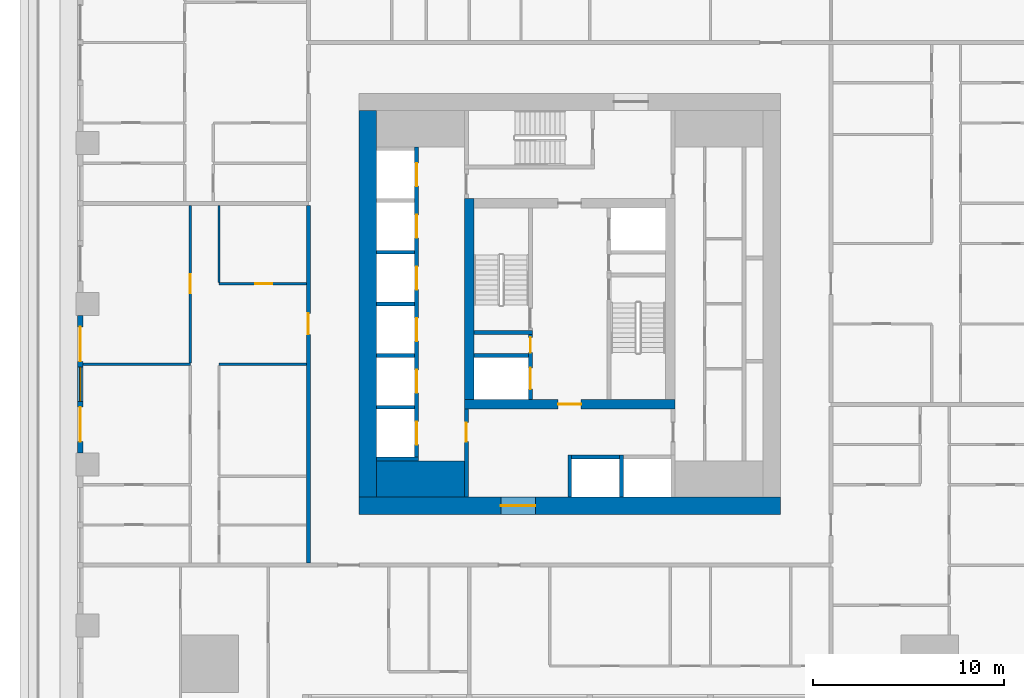
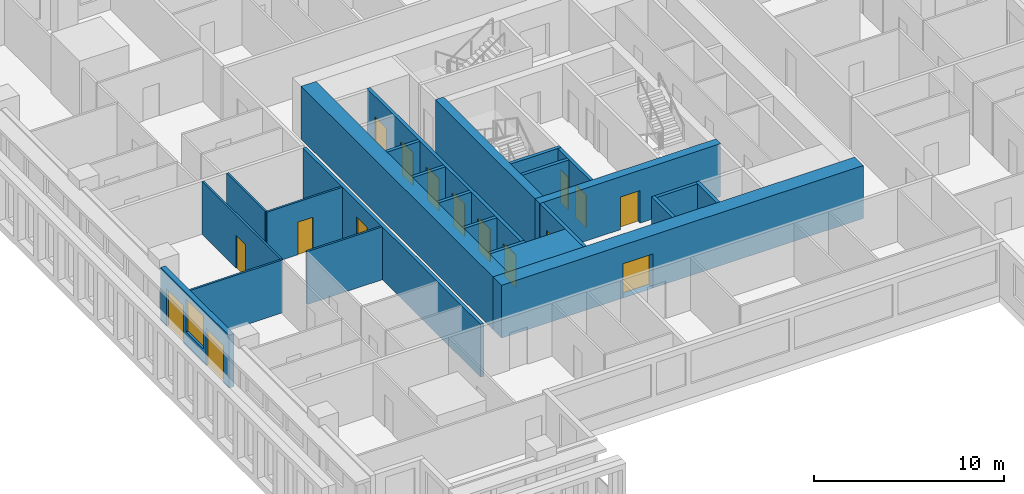
# One storey, part 3 of 14: 25 walls, 16 doors, 1 window, 17 openings.
"""IFC4 building model written with IfcOpenShell, lengths in metres."""

from ifc_helpers import new_model, si_unit, direction, frame, frame_2d, origin, place, context, subcontext, project, spatial, rectangle, extrude, material, layer, layer_set, type_object, element, fill, save


model = new_model("IFC4")

# Units and contexts
model_context = context("Model", 3, precision=1e-05, world=origin(), true_north=direction((0.0, 1.0)))
body_context = subcontext(model_context, "Body", "Model", "MODEL_VIEW")
ifc_project = project(units=[si_unit("LENGTHUNIT", "METRE"), si_unit("AREAUNIT", "SQUARE_METRE"), si_unit("VOLUMEUNIT", "CUBIC_METRE"), si_unit("PLANEANGLEUNIT", "RADIAN"), si_unit("MASSUNIT", "GRAM", prefix="KILO")], contexts=[model_context])

# Site, building, storey
site_placement = place(None, origin())
site = spatial("IfcSite", under=ifc_project, at=site_placement, CompositionType="ELEMENT")
building_placement = place(site_placement, origin())
building = spatial("IfcBuilding", under=site, at=building_placement, Name="Khepri Terraces", CompositionType="ELEMENT")
storey_placement = place(building_placement, frame((0.0, 0.0, 69.89990234375)))
storey = spatial("IfcBuildingStorey", under=building, at=storey_placement, Name="L16", CompositionType="ELEMENT", Elevation=69.89990234375)

# Walls
ifc_material_1 = material(Name="Concrete C80/95", Category="concrete")
ifc_layer_1 = layer(ifc_material_1, 1.89990234375, Name="Concrete C80/95", Category="concrete")
ifc_layer_set_1 = layer_set([ifc_layer_1], Name="Concrete C80/95")
wall_type_1 = type_object("IfcWallType", Name="Core wall 1900 C80/95", PredefinedType="SHEAR", material=ifc_layer_set_1)
wall_1_placement = place(storey_placement, frame((-10.10009765625, -9.14990234375, 0.0), z_axis=(0.0, 0.0, 1.0), x_axis=(1.0, 0.0, 0.0)))
element("IfcWall", 1, at=wall_1_placement, inside=storey, type_object=wall_type_1, Name="Core wall PR01 L16", PredefinedType="SHEAR", context=body_context, shape_type="SweptSolid", body=[
    extrude(rectangle(XDim=4.60009765625, YDim=1.89990234375, at=frame_2d((2.300048828125, 0.0))), origin(), (0.0, 0.0, 1.0), 3.400146484375),
])
ifc_layer_2 = layer(ifc_material_1, 0.199951171875, Name="Concrete C80/95", Category="concrete")
ifc_layer_set_2 = layer_set([ifc_layer_2], Name="Concrete C80/95")
wall_type_2 = type_object("IfcWallType", Name="Core wall 200 C80/95", PredefinedType="SHEAR", material=ifc_layer_set_2)
wall_2_placement = place(storey_placement, frame((-5.0, -1.5, 0.0), z_axis=(0.0, 0.0, 1.0), x_axis=(1.0, 0.0, 0.0)))
element("IfcWall", 2, at=wall_2_placement, inside=storey, type_object=wall_type_2, Name="Core wall ST02 L16", PredefinedType="SHEAR", context=body_context, shape_type="SweptSolid", body=[
    extrude(rectangle(XDim=3.050048828125, YDim=0.199951171875, at=frame_2d((1.52490234375, 0.0))), origin(), (0.0, 0.0, 1.0), 3.400146484375),
])
for number, where, z_axis, x_axis, name in (
    (3, (0.0, -10.10009765625, 0.0), (0.0, 0.0, 1.0), (0.0, 1.0, 0.0), "Core wall SH01 L16"),
    (4, (2.699951171875, -10.10009765625, 0.0), (0.0, 0.0, 1.0), (0.0, 1.0, 0.0), "Core wall SH02 L16"),
    (5, (-10.10009765625, -8.10009765625, 0.0), (0.0, 0.0, 1.0), (1.0, 0.0, 0.0), "Core wall SH04 L16"),
):
    element("IfcWall", number, at=place(storey_placement, frame(where, z_axis=z_axis, x_axis=x_axis)), inside=storey, type_object=wall_type_2, Name=name, PredefinedType="SHEAR", context=body_context, shape_type="SweptSolid", body=[
        extrude(rectangle(XDim=2.2001953125, YDim=0.199951171875, at=frame_2d((1.10009765625, 0.0))), origin(), (0.0, 0.0, 1.0), 3.400146484375),
    ])
wall_3_placement = place(storey_placement, frame((0.10009765625, -8.0, 0.0), z_axis=(0.0, 0.0, 1.0), x_axis=(1.0, 0.0, 0.0)))
element("IfcWall", 6, at=wall_3_placement, inside=storey, type_object=wall_type_2, Name="Core wall SH06 L16", PredefinedType="SHEAR", context=body_context, shape_type="SweptSolid", body=[
    extrude(rectangle(XDim=2.5, YDim=0.199951171875, at=frame_2d((1.25, 0.0))), origin(), (0.0, 0.0, 1.0), 3.400146484375),
])

# Wall, openings, doors
wall_4_placement = place(storey_placement, frame((-8.0, -8.0, 0.0), z_axis=(0.0, 0.0, 1.0), x_axis=(0.0, 1.0, 0.0)))
wall_4 = element("IfcWall", 7, at=wall_4_placement, inside=storey, type_object=wall_type_2, Name="Core wall SH08 L16", PredefinedType="SHEAR", context=body_context, shape_type="SweptSolid", body=[
    extrude(rectangle(XDim=16.199951171875, YDim=0.199951171875, at=frame_2d((8.10009765625, 0.0))), origin(), (0.0, 0.0, 1.0), 3.400146484375),
])
opening_1_placement = place(wall_4_placement, frame((0.64990234375, 0.0, 0.0)))
opening_1 = element("IfcOpeningElement", 8, at=opening_1_placement, cuts=wall_4, Name="Opening L16-C01", PredefinedType="OPENING", context=body_context, shape_type="SweptSolid", body=[
    extrude(rectangle(XDim=1.199951171875, YDim=2.10009765625, at=frame_2d((0.60009765625, 1.050048828125))), frame((0.0, 0.10986328125, 0.0), z_axis=(0.0, -1.0, 0.0), x_axis=(1.0, 0.0, 0.0)), (0.0, 0.0, 1.0), 0.219970703125),
])
opening_2_placement = place(wall_4_placement, frame((3.35009765625, 0.0, 0.0)))
opening_2 = element("IfcOpeningElement", 9, at=opening_2_placement, cuts=wall_4, Name="Opening L16-C02", PredefinedType="OPENING", context=body_context, shape_type="SweptSolid", body=[
    extrude(rectangle(XDim=1.199951171875, YDim=2.10009765625, at=frame_2d((0.60009765625, 1.050048828125))), frame((0.0, 0.10986328125, 0.0), z_axis=(0.0, -1.0, 0.0), x_axis=(1.0, 0.0, 0.0)), (0.0, 0.0, 1.0), 0.219970703125),
])
opening_3_placement = place(wall_4_placement, frame((6.050048828125, 0.0, 0.0)))
opening_3 = element("IfcOpeningElement", 10, at=opening_3_placement, cuts=wall_4, Name="Opening L16-C03", PredefinedType="OPENING", context=body_context, shape_type="SweptSolid", body=[
    extrude(rectangle(XDim=1.199951171875, YDim=2.10009765625, at=frame_2d((0.60009765625, 1.050048828125))), frame((0.0, 0.10986328125, 0.0), z_axis=(0.0, -1.0, 0.0), x_axis=(1.0, 0.0, 0.0)), (0.0, 0.0, 1.0), 0.219970703125),
])
opening_4_placement = place(wall_4_placement, frame((8.75, 0.0, 0.0)))
opening_4 = element("IfcOpeningElement", 11, at=opening_4_placement, cuts=wall_4, Name="Opening L16-C04", PredefinedType="OPENING", context=body_context, shape_type="SweptSolid", body=[
    extrude(rectangle(XDim=1.199951171875, YDim=2.10009765625, at=frame_2d((0.60009765625, 1.050048828125))), frame((0.0, 0.10986328125, 0.0), z_axis=(0.0, -1.0, 0.0), x_axis=(1.0, 0.0, 0.0)), (0.0, 0.0, 1.0), 0.219970703125),
])
opening_5_placement = place(wall_4_placement, frame((11.449951171875, 0.0, 0.0)))
opening_5 = element("IfcOpeningElement", 12, at=opening_5_placement, cuts=wall_4, Name="Opening L16-C05", PredefinedType="OPENING", context=body_context, shape_type="SweptSolid", body=[
    extrude(rectangle(XDim=1.199951171875, YDim=2.10009765625, at=frame_2d((0.60009765625, 1.050048828125))), frame((0.0, 0.10986328125, 0.0), z_axis=(0.0, -1.0, 0.0), x_axis=(1.0, 0.0, 0.0)), (0.0, 0.0, 1.0), 0.219970703125),
])
opening_6_placement = place(wall_4_placement, frame((14.14990234375, 0.0, 0.0)))
opening_6 = element("IfcOpeningElement", 13, at=opening_6_placement, cuts=wall_4, Name="Opening L16-C06", PredefinedType="OPENING", context=body_context, shape_type="SweptSolid", body=[
    extrude(rectangle(XDim=1.199951171875, YDim=2.10009765625, at=frame_2d((0.60009765625, 1.050048828125))), frame((0.0, 0.10986328125, 0.0), z_axis=(0.0, -1.0, 0.0), x_axis=(1.0, 0.0, 0.0)), (0.0, 0.0, 1.0), 0.219970703125),
])
ifc_material_2 = material(Name="Stainless steel 304", Category="steel")
door_type_1 = type_object("IfcDoorType", Name="DR-CORE-LANDING-1200", OperationType="NOTDEFINED", PredefinedType="DOOR", material=ifc_material_2)
door_1_placement = place(opening_1_placement, origin())
door_1 = element("IfcDoor", 14, at=door_1_placement, inside=storey, type_object=door_type_1, Name="Lift landing door L16-C01", OperationType="SLIDING_TO_LEFT", OverallHeight=2.10009765625, OverallWidth=1.199951171875, PredefinedType="DOOR", context=body_context, shape_type="SweptSolid", body=[
    extrude(rectangle(XDim=1.199951171875, YDim=2.10009765625, at=frame_2d((0.60009765625, 1.050048828125))), frame((0.0, 0.02490234375, 0.0), z_axis=(0.0, -1.0, 0.0), x_axis=(1.0, 0.0, 0.0)), (0.0, 0.0, 1.0), 0.050048828125),
])
fill(opening_1, door_1)
door_2_placement = place(opening_2_placement, origin())
door_2 = element("IfcDoor", 15, at=door_2_placement, inside=storey, type_object=door_type_1, Name="Lift landing door L16-C02", OperationType="SLIDING_TO_LEFT", OverallHeight=2.10009765625, OverallWidth=1.199951171875, PredefinedType="DOOR", context=body_context, shape_type="SweptSolid", body=[
    extrude(rectangle(XDim=1.199951171875, YDim=2.10009765625, at=frame_2d((0.60009765625, 1.050048828125))), frame((0.0, 0.02490234375, 0.0), z_axis=(0.0, -1.0, 0.0), x_axis=(1.0, 0.0, 0.0)), (0.0, 0.0, 1.0), 0.050048828125),
])
fill(opening_2, door_2)
door_3_placement = place(opening_3_placement, origin())
door_3 = element("IfcDoor", 16, at=door_3_placement, inside=storey, type_object=door_type_1, Name="Lift landing door L16-C03", OperationType="SLIDING_TO_LEFT", OverallHeight=2.10009765625, OverallWidth=1.199951171875, PredefinedType="DOOR", context=body_context, shape_type="SweptSolid", body=[
    extrude(rectangle(XDim=1.199951171875, YDim=2.10009765625, at=frame_2d((0.60009765625, 1.050048828125))), frame((0.0, 0.02490234375, 0.0), z_axis=(0.0, -1.0, 0.0), x_axis=(1.0, 0.0, 0.0)), (0.0, 0.0, 1.0), 0.050048828125),
])
fill(opening_3, door_3)
door_4_placement = place(opening_4_placement, origin())
door_4 = element("IfcDoor", 17, at=door_4_placement, inside=storey, type_object=door_type_1, Name="Lift landing door L16-C04", OperationType="SLIDING_TO_LEFT", OverallHeight=2.10009765625, OverallWidth=1.199951171875, PredefinedType="DOOR", context=body_context, shape_type="SweptSolid", body=[
    extrude(rectangle(XDim=1.199951171875, YDim=2.10009765625, at=frame_2d((0.60009765625, 1.050048828125))), frame((0.0, 0.02490234375, 0.0), z_axis=(0.0, -1.0, 0.0), x_axis=(1.0, 0.0, 0.0)), (0.0, 0.0, 1.0), 0.050048828125),
])
fill(opening_4, door_4)
door_5_placement = place(opening_5_placement, origin())
door_5 = element("IfcDoor", 18, at=door_5_placement, inside=storey, type_object=door_type_1, Name="Lift landing door L16-C05", OperationType="SLIDING_TO_LEFT", OverallHeight=2.10009765625, OverallWidth=1.199951171875, PredefinedType="DOOR", context=body_context, shape_type="SweptSolid", body=[
    extrude(rectangle(XDim=1.199951171875, YDim=2.10009765625, at=frame_2d((0.60009765625, 1.050048828125))), frame((0.0, 0.02490234375, 0.0), z_axis=(0.0, -1.0, 0.0), x_axis=(1.0, 0.0, 0.0)), (0.0, 0.0, 1.0), 0.050048828125),
])
fill(opening_5, door_5)
door_6_placement = place(opening_6_placement, origin())
door_6 = element("IfcDoor", 19, at=door_6_placement, inside=storey, type_object=door_type_1, Name="Lift landing door L16-C06", OperationType="SLIDING_TO_LEFT", OverallHeight=2.10009765625, OverallWidth=1.199951171875, PredefinedType="DOOR", context=body_context, shape_type="SweptSolid", body=[
    extrude(rectangle(XDim=1.199951171875, YDim=2.10009765625, at=frame_2d((0.60009765625, 1.050048828125))), frame((0.0, 0.02490234375, 0.0), z_axis=(0.0, -1.0, 0.0), x_axis=(1.0, 0.0, 0.0)), (0.0, 0.0, 1.0), 0.050048828125),
])
fill(opening_6, door_6)

# Wall
wall_5_placement = place(storey_placement, frame((-10.10009765625, -5.39990234375, 0.0), z_axis=(0.0, 0.0, 1.0), x_axis=(1.0, 0.0, 0.0)))
element("IfcWall", 20, at=wall_5_placement, inside=storey, type_object=wall_type_2, Name="Core wall SH09 L16", PredefinedType="SHEAR", context=body_context, shape_type="SweptSolid", body=[
    extrude(rectangle(XDim=2.0, YDim=0.199951171875, at=frame_2d((1.0, 0.0))), origin(), (0.0, 0.0, 1.0), 3.400146484375),
])

# Wall, openings, doors
wall_6_placement = place(storey_placement, frame((-2.050048828125, -5.0, 0.0), z_axis=(0.0, 0.0, 1.0), x_axis=(0.0, 1.0, 0.0)))
wall_6 = element("IfcWall", 21, at=wall_6_placement, inside=storey, type_object=wall_type_2, Name="Core wall SH10 L16", PredefinedType="SHEAR", context=body_context, shape_type="SweptSolid", body=[
    extrude(rectangle(XDim=3.39990234375, YDim=0.199951171875, at=frame_2d((1.699951171875, 0.0))), origin(), (0.0, 0.0, 1.0), 3.400146484375),
])
opening_7_placement = place(wall_6_placement, frame((0.550048828125, 0.0, 0.0)))
opening_7 = element("IfcOpeningElement", 22, at=opening_7_placement, cuts=wall_6, Name="Opening L16-C08", PredefinedType="OPENING", context=body_context, shape_type="SweptSolid", body=[
    extrude(rectangle(XDim=1.10009765625, YDim=2.10009765625, at=frame_2d((0.550048828125, 1.050048828125))), frame((0.0, 0.10986328125, 0.0), z_axis=(0.0, -1.0, 0.0), x_axis=(1.0, 0.0, 0.0)), (0.0, 0.0, 1.0), 0.219970703125),
])
opening_8_placement = place(wall_6_placement, frame((2.449951171875, 0.0, 0.0)))
opening_8 = element("IfcOpeningElement", 23, at=opening_8_placement, cuts=wall_6, Name="Opening L16-C12", PredefinedType="OPENING", context=body_context, shape_type="SweptSolid", body=[
    extrude(rectangle(XDim=0.800048828125, YDim=2.10009765625, at=frame_2d((0.39990234375, 1.050048828125))), frame((0.0, 0.10986328125, 0.0), z_axis=(0.0, -1.0, 0.0), x_axis=(1.0, 0.0, 0.0)), (0.0, 0.0, 1.0), 0.219970703125),
])
door_type_2 = type_object("IfcDoorType", Name="DR-CORE-FF-LANDING-1100", OperationType="NOTDEFINED", PredefinedType="DOOR", material=ifc_material_2)
door_7_placement = place(opening_7_placement, origin())
door_7 = element("IfcDoor", 24, at=door_7_placement, inside=storey, type_object=door_type_2, Name="Firefighting lift landing door L16-C08", OperationType="SLIDING_TO_LEFT", OverallHeight=2.10009765625, OverallWidth=1.10009765625, PredefinedType="DOOR", context=body_context, shape_type="SweptSolid", body=[
    extrude(rectangle(XDim=1.10009765625, YDim=2.10009765625, at=frame_2d((0.550048828125, 1.050048828125))), frame((0.0, 0.02490234375, 0.0), z_axis=(0.0, -1.0, 0.0), x_axis=(1.0, 0.0, 0.0)), (0.0, 0.0, 1.0), 0.050048828125),
])
fill(opening_7, door_7)
ifc_material_3 = material(Name="Painted steel", Category="steel")
door_type_3 = type_object("IfcDoorType", Name="DR-CORE-RISER-800", OperationType="NOTDEFINED", PredefinedType="DOOR", material=ifc_material_3)
door_8_placement = place(opening_8_placement, origin())
door_8 = element("IfcDoor", 25, at=door_8_placement, inside=storey, type_object=door_type_3, Name="Riser door L16-C12", OperationType="SINGLE_SWING_RIGHT", OverallHeight=2.10009765625, OverallWidth=0.800048828125, PredefinedType="DOOR", context=body_context, shape_type="SweptSolid", body=[
    extrude(rectangle(XDim=0.800048828125, YDim=2.10009765625, at=frame_2d((0.39990234375, 1.050048828125))), frame((0.0, 0.02490234375, 0.0), z_axis=(0.0, -1.0, 0.0), x_axis=(1.0, 0.0, 0.0)), (0.0, 0.0, 1.0), 0.050048828125),
])
fill(opening_8, door_8)

# Walls
wall_7_placement = place(storey_placement, frame((-10.10009765625, -2.699951171875, 0.0), z_axis=(0.0, 0.0, 1.0), x_axis=(1.0, 0.0, 0.0)))
element("IfcWall", 26, at=wall_7_placement, inside=storey, type_object=wall_type_2, Name="Core wall SH12 L16", PredefinedType="SHEAR", context=body_context, shape_type="SweptSolid", body=[
    extrude(rectangle(XDim=2.0, YDim=0.199951171875, at=frame_2d((1.0, 0.0))), origin(), (0.0, 0.0, 1.0), 3.400146484375),
])
wall_8_placement = place(storey_placement, frame((-5.0, -2.699951171875, 0.0), z_axis=(0.0, 0.0, 1.0), x_axis=(1.0, 0.0, 0.0)))
element("IfcWall", 27, at=wall_8_placement, inside=storey, type_object=wall_type_2, Name="Core wall SH13 L16", PredefinedType="SHEAR", context=body_context, shape_type="SweptSolid", body=[
    extrude(rectangle(XDim=2.85009765625, YDim=0.199951171875, at=frame_2d((1.425048828125, 0.0))), origin(), (0.0, 0.0, 1.0), 3.400146484375),
])
for number, where, z_axis, x_axis, name in (
    (28, (-10.10009765625, 0.0, 0.0), (0.0, 0.0, 1.0), (1.0, 0.0, 0.0), "Core wall SH14 L16"),
    (29, (-10.10009765625, 2.699951171875, 0.0), (0.0, 0.0, 1.0), (1.0, 0.0, 0.0), "Core wall SH17 L16"),
):
    element("IfcWall", number, at=place(storey_placement, frame(where, z_axis=z_axis, x_axis=x_axis)), inside=storey, type_object=wall_type_2, Name=name, PredefinedType="SHEAR", context=body_context, shape_type="SweptSolid", body=[
        extrude(rectangle(XDim=2.0, YDim=0.199951171875, at=frame_2d((1.0, 0.0))), origin(), (0.0, 0.0, 1.0), 3.400146484375),
    ])

# Wall, opening, door
ifc_layer_3 = layer(ifc_material_1, 0.5, Name="Concrete C80/95", Category="concrete")
ifc_layer_set_3 = layer_set([ifc_layer_3], Name="Concrete C80/95")
wall_type_3 = type_object("IfcWallType", Name="Core wall 500 C80/95", PredefinedType="SHEAR", material=ifc_layer_set_3)
wall_9_placement = place(storey_placement, frame((-5.5, -5.25, 0.0), z_axis=(0.0, 0.0, 1.0), x_axis=(1.0, 0.0, 0.0)))
wall_9 = element("IfcWall", 30, at=wall_9_placement, inside=storey, type_object=wall_type_3, Name="Core wall BX01 L16", PredefinedType="SHEAR", context=body_context, shape_type="SweptSolid", body=[
    extrude(rectangle(XDim=11.0, YDim=0.5, at=frame_2d((5.5, 0.0))), origin(), (0.0, 0.0, 1.0), 3.400146484375),
])
opening_9_placement = place(wall_9_placement, frame((4.89990234375, 0.0, 0.0)))
opening_9 = element("IfcOpeningElement", 31, at=opening_9_placement, cuts=wall_9, Name="Opening L16-C14", PredefinedType="OPENING", context=body_context, shape_type="SweptSolid", body=[
    extrude(rectangle(XDim=1.199951171875, YDim=2.10009765625, at=frame_2d((0.60009765625, 1.050048828125))), frame((0.0, 0.260009765625, 0.0), z_axis=(0.0, -1.0, 0.0), x_axis=(1.0, 0.0, 0.0)), (0.0, 0.0, 1.0), 0.52001953125),
])
door_type_4 = type_object("IfcDoorType", Name="DR-CORE-FF-LOBBY-1200", OperationType="NOTDEFINED", PredefinedType="DOOR", material=ifc_material_3)
door_9_placement = place(opening_9_placement, origin())
door_9 = element("IfcDoor", 32, at=door_9_placement, inside=storey, type_object=door_type_4, Name="Firefighting lobby door L16-C14", OperationType="SINGLE_SWING_RIGHT", OverallHeight=2.10009765625, OverallWidth=1.199951171875, PredefinedType="DOOR", context=body_context, shape_type="SweptSolid", body=[
    extrude(rectangle(XDim=1.199951171875, YDim=2.10009765625, at=frame_2d((0.60009765625, 1.050048828125))), frame((0.0, 0.02490234375, 0.0), z_axis=(0.0, -1.0, 0.0), x_axis=(1.0, 0.0, 0.0)), (0.0, 0.0, 1.0), 0.050048828125),
])
fill(opening_9, door_9)

# Wall
wall_10_placement = place(storey_placement, frame((-5.25, -5.0, 0.0), z_axis=(0.0, 0.0, 1.0), x_axis=(0.0, 1.0, 0.0)))
element("IfcWall", 33, at=wall_10_placement, inside=storey, type_object=wall_type_3, Name="Core wall BX02 L16", PredefinedType="SHEAR", context=body_context, shape_type="SweptSolid", body=[
    extrude(rectangle(XDim=10.5, YDim=0.5, at=frame_2d((5.25, 0.0))), origin(), (0.0, 0.0, 1.0), 3.400146484375),
])

# Wall, opening, door
ifc_layer_4 = layer(ifc_material_1, 0.89990234375, Name="Concrete C80/95", Category="concrete")
ifc_layer_set_4 = layer_set([ifc_layer_4], Name="Concrete C80/95")
wall_type_4 = type_object("IfcWallType", Name="Core wall 900 C80/95", PredefinedType="SHEAR", material=ifc_layer_set_4)
wall_11_placement = place(storey_placement, frame((-11.0, -10.550048828125, 0.0), z_axis=(0.0, 0.0, 1.0), x_axis=(1.0, 0.0, 0.0)))
wall_11 = element("IfcWall", 34, at=wall_11_placement, inside=storey, type_object=wall_type_4, Name="Core wall OW-S L16", PredefinedType="SHEAR", context=body_context, shape_type="SweptSolid", body=[
    extrude(rectangle(XDim=22.0, YDim=0.89990234375, at=frame_2d((11.0, 0.0))), origin(), (0.0, 0.0, 1.0), 3.400146484375),
])
opening_10_placement = place(wall_11_placement, frame((7.39990234375, 0.0, 0.0)))
opening_10 = element("IfcOpeningElement", 35, at=opening_10_placement, cuts=wall_11, Name="Opening L16-C21", PredefinedType="OPENING", context=body_context, shape_type="SweptSolid", body=[
    extrude(rectangle(XDim=1.800048828125, YDim=2.199951171875, at=frame_2d((0.89990234375, 1.10009765625))), frame((0.0, 0.4599609375, 0.0), z_axis=(0.0, -1.0, 0.0), x_axis=(1.0, 0.0, 0.0)), (0.0, 0.0, 1.0), 0.919921875),
])
door_type_5 = type_object("IfcDoorType", Name="DR-CORE-ENTRANCE-1800", OperationType="NOTDEFINED", PredefinedType="DOOR", material=ifc_material_3)
door_10_placement = place(opening_10_placement, frame((1.800048828125, 0.0, 0.0), z_axis=(0.0, 0.0, 1.0), x_axis=(-1.0, 0.0, 0.0)))
door_10 = element("IfcDoor", 36, at=door_10_placement, inside=storey, type_object=door_type_5, Name="Core entrance door pair L16-C21", OperationType="DOUBLE_DOOR_SINGLE_SWING", OverallHeight=2.199951171875, OverallWidth=1.800048828125, PredefinedType="DOOR", context=body_context, shape_type="SweptSolid", body=[
    extrude(rectangle(XDim=1.800048828125, YDim=2.199951171875, at=frame_2d((0.89990234375, 1.10009765625))), frame((0.0, 0.02490234375, 0.0), z_axis=(0.0, -1.0, 0.0), x_axis=(1.0, 0.0, 0.0)), (0.0, 0.0, 1.0), 0.050048828125),
])
fill(opening_10, door_10)

# Wall
wall_12_placement = place(storey_placement, frame((-10.550048828125, -10.10009765625, 0.0), z_axis=(0.0, 0.0, 1.0), x_axis=(0.0, 1.0, 0.0)))
element("IfcWall", 37, at=wall_12_placement, inside=storey, type_object=wall_type_4, Name="Core wall OW-W L16", PredefinedType="SHEAR", context=body_context, shape_type="SweptSolid", body=[
    extrude(rectangle(XDim=20.2001953125, YDim=0.89990234375, at=frame_2d((10.10009765625, 0.0))), origin(), (0.0, 0.0, 1.0), 3.400146484375),
])

# Wall, opening, door
ifc_material_4 = material(Name="Fire-rated gypsum board partition")
ifc_layer_5 = layer(ifc_material_4, 0.199951171875, Name="Fire-rated gypsum board partition")
ifc_layer_set_5 = layer_set([ifc_layer_5], Name="Fire-rated gypsum board partition")
wall_type_5 = type_object("IfcWallType", Name="WL-CORE-PART-200", PredefinedType="PARTITIONING", material=ifc_layer_set_5)
wall_13_placement = place(storey_placement, frame((-5.39990234375, -10.10009765625, 0.0), z_axis=(0.0, 0.0, 1.0), x_axis=(0.0, 1.0, 0.0)))
wall_13 = element("IfcWall", 38, at=wall_13_placement, inside=storey, type_object=wall_type_5, Name="Core partition PT01 L16", PredefinedType="PARTITIONING", context=body_context, shape_type="SweptSolid", body=[
    extrude(rectangle(XDim=4.60009765625, YDim=0.199951171875, at=frame_2d((2.300048828125, 0.0))), origin(), (0.0, 0.0, 1.0), 3.400146484375),
])
opening_11_placement = place(wall_13_placement, frame((2.89990234375, 0.0, 0.0)))
opening_11 = element("IfcOpeningElement", 39, at=opening_11_placement, cuts=wall_13, Name="Opening L16-C18", PredefinedType="OPENING", context=body_context, shape_type="SweptSolid", body=[
    extrude(rectangle(XDim=1.0, YDim=2.10009765625, at=frame_2d((0.5, 1.050048828125))), frame((0.0, 0.10986328125, 0.0), z_axis=(0.0, -1.0, 0.0), x_axis=(1.0, 0.0, 0.0)), (0.0, 0.0, 1.0), 0.219970703125),
])
door_type_6 = type_object("IfcDoorType", Name="DR-CORE-LOBBY-1000", OperationType="NOTDEFINED", PredefinedType="DOOR", material=ifc_material_3)
door_11_placement = place(opening_11_placement, frame((1.0, 0.0, 0.0), z_axis=(0.0, 0.0, 1.0), x_axis=(-1.0, 0.0, 0.0)))
door_11 = element("IfcDoor", 40, at=door_11_placement, inside=storey, type_object=door_type_6, Name="Lobby door L16-C18", OperationType="SINGLE_SWING_LEFT", OverallHeight=2.10009765625, OverallWidth=1.0, PredefinedType="DOOR", context=body_context, shape_type="SweptSolid", body=[
    extrude(rectangle(XDim=1.0, YDim=2.10009765625, at=frame_2d((0.5, 1.050048828125))), frame((0.0, 0.02490234375, 0.0), z_axis=(0.0, -1.0, 0.0), x_axis=(1.0, 0.0, 0.0)), (0.0, 0.0, 1.0), 0.050048828125),
])
fill(opening_11, door_11)

ifc_material_5 = material(Name="Fire-rated gypsum plasterboard partition, mineral wool")
ifc_layer_6 = layer(ifc_material_5, 0.199951171875, Name="Fire-rated gypsum plasterboard partition, mineral wool")
ifc_layer_set_6 = layer_set([ifc_layer_6], Name="Fire-rated gypsum plasterboard partition, mineral wool")
wall_type_6 = type_object("IfcWallType", Name="WL-CORR-200", PredefinedType="PARTITIONING", material=ifc_layer_set_6)
wall_14_placement = place(storey_placement, frame((-13.64990234375, -13.550048828125, 0.0), z_axis=(0.0, 0.0, 1.0), x_axis=(0.0, 1.0, 0.0)))
wall_14 = element("IfcWall", 41, at=wall_14_placement, inside=storey, type_object=wall_type_6, Name="Partition P-023 L16", PredefinedType="PARTITIONING", context=body_context, shape_type="SweptSolid", body=[
    extrude(rectangle(XDim=18.699951171875, YDim=0.199951171875, at=frame_2d((9.35009765625, 0.0))), origin(), (0.0, 0.0, 1.0), 3.400146484375),
])
opening_12_placement = place(wall_14_placement, frame((11.949951171875, 0.0, 0.0)))
opening_12 = element("IfcOpeningElement", 42, at=opening_12_placement, cuts=wall_14, Name="Opening D1", PredefinedType="OPENING", context=body_context, shape_type="SweptSolid", body=[
    extrude(rectangle(XDim=1.10009765625, YDim=2.39990234375, at=frame_2d((0.550048828125, 1.199951171875))), frame((0.0, 0.10986328125, 0.0), z_axis=(0.0, -1.0, 0.0), x_axis=(1.0, 0.0, 0.0)), (0.0, 0.0, 1.0), 0.219970703125),
])
ifc_material_6 = material(Name="Solid-core timber door leaf, flat entrance door", Category="wood")
door_type_7 = type_object("IfcDoorType", Name="DR-ENT-1100", OperationType="NOTDEFINED", PredefinedType="DOOR", material=ifc_material_6)
door_12_placement = place(opening_12_placement, origin())
door_12 = element("IfcDoor", 43, at=door_12_placement, inside=storey, type_object=door_type_7, Name="Flat D2 entrance door", OperationType="SINGLE_SWING_RIGHT", OverallHeight=2.39990234375, OverallWidth=1.10009765625, PredefinedType="DOOR", context=body_context, shape_type="SweptSolid", body=[
    extrude(rectangle(XDim=1.10009765625, YDim=2.39990234375, at=frame_2d((0.550048828125, 1.199951171875))), frame((0.0, 0.02490234375, 0.0), z_axis=(0.0, -1.0, 0.0), x_axis=(1.0, 0.0, 0.0)), (0.0, 0.0, 1.0), 0.050048828125),
])
fill(opening_12, door_12)

# Wall, openings, doors, window
ifc_material_7 = material(Name="Precast concrete C50/60 warm stone", Category="masonry")
ifc_layer_7 = layer(ifc_material_7, 0.300048828125, Name="Precast concrete C50/60 warm stone", Category="masonry")
ifc_layer_set_7 = layer_set([ifc_layer_7], Name="Precast concrete C50/60 warm stone")
wall_type_7 = type_object("IfcWallType", Name="WL-EXT-PRECAST-300", PredefinedType="STANDARD", material=ifc_layer_set_7)
wall_15_placement = place(storey_placement, frame((-25.570068359375, -0.60009765625, 0.0), z_axis=(0.0, 0.0, 1.0), x_axis=(0.0, -1.0, 0.0)))
wall_15 = element("IfcWall", 44, at=wall_15_placement, inside=storey, type_object=wall_type_7, Name="External wall L16 W", PredefinedType="STANDARD", context=body_context, shape_type="SweptSolid", body=[
    extrude(rectangle(XDim=7.199951171875, YDim=0.300048828125, at=frame_2d((3.60009765625, 0.0))), origin(), (0.0, 0.0, 1.0), 3.400146484375),
])
opening_13_placement = place(wall_15_placement, frame((0.60009765625, 0.0, 0.0)))
opening_13 = element("IfcOpeningElement", 45, at=opening_13_placement, cuts=wall_15, Name="Opening ED-L16-16", PredefinedType="OPENING", context=body_context, shape_type="SweptSolid", body=[
    extrude(rectangle(XDim=1.800048828125, YDim=2.39990234375, at=frame_2d((0.89990234375, 1.199951171875))), frame((0.0, 0.16015625, 0.0), z_axis=(0.0, -1.0, 0.0), x_axis=(1.0, 0.0, 0.0)), (0.0, 0.0, 1.0), 0.320068359375),
])
opening_14_placement = place(wall_15_placement, frame((2.699951171875, 0.0, 0.89990234375)))
opening_14 = element("IfcOpeningElement", 46, at=opening_14_placement, cuts=wall_15, Name="Opening W1", PredefinedType="OPENING", context=body_context, shape_type="SweptSolid", body=[
    extrude(rectangle(XDim=1.800048828125, YDim=2.10009765625, at=frame_2d((0.89990234375, 1.050048828125))), frame((0.0, 0.16015625, 0.0), z_axis=(0.0, -1.0, 0.0), x_axis=(1.0, 0.0, 0.0)), (0.0, 0.0, 1.0), 0.320068359375),
])
opening_15_placement = place(wall_15_placement, frame((4.800048828125, 0.0, 0.0)))
opening_15 = element("IfcOpeningElement", 47, at=opening_15_placement, cuts=wall_15, Name="Opening ED-L16-17", PredefinedType="OPENING", context=body_context, shape_type="SweptSolid", body=[
    extrude(rectangle(XDim=1.800048828125, YDim=2.39990234375, at=frame_2d((0.89990234375, 1.199951171875))), frame((0.0, 0.16015625, 0.0), z_axis=(0.0, -1.0, 0.0), x_axis=(1.0, 0.0, 0.0)), (0.0, 0.0, 1.0), 0.320068359375),
])
ifc_material_8 = material(Name="Anodised aluminium bronze glazed door", Category="aluminium")
door_type_8 = type_object("IfcDoorType", Name="DR-BAL-SLIDE-1800x2400", OperationType="NOTDEFINED", PredefinedType="DOOR", material=ifc_material_8)
door_13_placement = place(opening_13_placement, origin())
door_13 = element("IfcDoor", 48, at=door_13_placement, inside=storey, type_object=door_type_8, Name="Balcony door L16 W", OperationType="SLIDING_TO_LEFT", OverallHeight=2.39990234375, OverallWidth=1.800048828125, PredefinedType="DOOR", context=body_context, shape_type="SweptSolid", body=[
    extrude(rectangle(XDim=1.800048828125, YDim=2.39990234375, at=frame_2d((0.89990234375, 1.199951171875))), frame((0.0, 0.02490234375, 0.0), z_axis=(0.0, -1.0, 0.0), x_axis=(1.0, 0.0, 0.0)), (0.0, 0.0, 1.0), 0.050048828125),
])
fill(opening_13, door_13)
door_14_placement = place(opening_15_placement, origin())
door_14 = element("IfcDoor", 49, at=door_14_placement, inside=storey, type_object=door_type_8, Name="Balcony door L16 W", OperationType="SLIDING_TO_RIGHT", OverallHeight=2.39990234375, OverallWidth=1.800048828125, PredefinedType="DOOR", context=body_context, shape_type="SweptSolid", body=[
    extrude(rectangle(XDim=1.800048828125, YDim=2.39990234375, at=frame_2d((0.89990234375, 1.199951171875))), frame((0.0, 0.02490234375, 0.0), z_axis=(0.0, -1.0, 0.0), x_axis=(1.0, 0.0, 0.0)), (0.0, 0.0, 1.0), 0.050048828125),
])
fill(opening_15, door_14)
ifc_material_9 = material(Name="Clear glass", Category="glass")
window_type = type_object("IfcWindowType", Name="WIN-RES-1800x2100", PartitioningType="SINGLE_PANEL", PredefinedType="WINDOW", material=ifc_material_9)
window_placement = place(opening_14_placement, origin())
window = element("IfcWindow", 50, at=window_placement, inside=storey, type_object=window_type, Name="Window L16 W", OverallHeight=2.10009765625, OverallWidth=1.800048828125, PartitioningType="SINGLE_PANEL", PredefinedType="WINDOW", context=body_context, shape_type="SweptSolid", body=[
    extrude(rectangle(XDim=1.800048828125, YDim=2.10009765625, at=frame_2d((0.89990234375, 1.050048828125))), frame((0.0, 0.030029296875, 0.0), z_axis=(0.0, -1.0, 0.0), x_axis=(1.0, 0.0, 0.0)), (0.0, 0.0, 1.0), 0.06005859375),
])
fill(opening_14, window)

# Walls
ifc_material_10 = material(Name="Gypsum plasterboard partition")
ifc_layer_8 = layer(ifc_material_10, 0.1201171875, Name="Gypsum plasterboard partition")
ifc_layer_set_8 = layer_set([ifc_layer_8], Name="Gypsum plasterboard partition")
wall_type_8 = type_object("IfcWallType", Name="WL-PART-120", PredefinedType="PARTITIONING", material=ifc_layer_set_8)
wall_16_placement = place(storey_placement, frame((-25.419921875, -3.14990234375, 0.0), z_axis=(0.0, 0.0, 1.0), x_axis=(1.0, 0.0, 0.0)))
element("IfcWall", 51, at=wall_16_placement, inside=storey, type_object=wall_type_8, Name="Partition P-045 L16", PredefinedType="PARTITIONING", context=body_context, shape_type="SweptSolid", body=[
    extrude(rectangle(XDim=5.599853515625, YDim=0.1201171875, at=frame_2d((2.7998046875, 0.0))), origin(), (0.0, 0.0, 1.0), 3.400146484375),
])
wall_17_placement = place(storey_placement, frame((-18.320068359375, -3.14990234375, 0.0), z_axis=(0.0, 0.0, 1.0), x_axis=(1.0, 0.0, 0.0)))
element("IfcWall", 52, at=wall_17_placement, inside=storey, type_object=wall_type_8, Name="Partition P-046 L16", PredefinedType="PARTITIONING", context=body_context, shape_type="SweptSolid", body=[
    extrude(rectangle(XDim=4.570068359375, YDim=0.1201171875, at=frame_2d((2.28515625, 0.0))), origin(), (0.0, 0.0, 1.0), 3.400146484375),
])

# Wall, opening, door
wall_18_placement = place(storey_placement, frame((-19.820068359375, -3.090087890625, 0.0), z_axis=(0.0, 0.0, 1.0), x_axis=(0.0, 1.0, 0.0)))
wall_18 = element("IfcWall", 53, at=wall_18_placement, inside=storey, type_object=wall_type_8, Name="Partition P-047 L16", PredefinedType="PARTITIONING", context=body_context, shape_type="SweptSolid", body=[
    extrude(rectangle(XDim=8.239990234375, YDim=0.1201171875, at=frame_2d((4.1201171875, 0.0))), origin(), (0.0, 0.0, 1.0), 3.400146484375),
])
opening_16_placement = place(wall_18_placement, frame((3.639892578125, 0.0, 0.0)))
opening_16 = element("IfcOpeningElement", 54, at=opening_16_placement, cuts=wall_18, Name="Opening D2", PredefinedType="OPENING", context=body_context, shape_type="SweptSolid", body=[
    extrude(rectangle(XDim=1.0, YDim=2.10009765625, at=frame_2d((0.5, 1.050048828125))), frame((0.0, 0.070068359375, 0.0), z_axis=(0.0, -1.0, 0.0), x_axis=(1.0, 0.0, 0.0)), (0.0, 0.0, 1.0), 0.14013671875),
])
ifc_material_11 = material(Name="Timber door leaf, living room door", Category="wood")
door_type_9 = type_object("IfcDoorType", Name="DR-INT-1000", OperationType="NOTDEFINED", PredefinedType="DOOR", material=ifc_material_11)
door_15_placement = place(opening_16_placement, origin())
door_15 = element("IfcDoor", 55, at=door_15_placement, inside=storey, type_object=door_type_9, Name="Door Living Room", OperationType="SINGLE_SWING_RIGHT", OverallHeight=2.10009765625, OverallWidth=1.0, PredefinedType="DOOR", context=body_context, shape_type="SweptSolid", body=[
    extrude(rectangle(XDim=1.0, YDim=2.10009765625, at=frame_2d((0.5, 1.050048828125))), frame((0.0, 0.02490234375, 0.0), z_axis=(0.0, -1.0, 0.0), x_axis=(1.0, 0.0, 0.0)), (0.0, 0.0, 1.0), 0.050048828125),
])
fill(opening_16, door_15)

wall_19_placement = place(storey_placement, frame((-18.320068359375, 1.050048828125, 0.0), z_axis=(0.0, 0.0, 1.0), x_axis=(1.0, 0.0, 0.0)))
wall_19 = element("IfcWall", 56, at=wall_19_placement, inside=storey, type_object=wall_type_8, Name="Partition P-051 L16", PredefinedType="PARTITIONING", context=body_context, shape_type="SweptSolid", body=[
    extrude(rectangle(XDim=4.570068359375, YDim=0.1201171875, at=frame_2d((2.28515625, 0.0))), origin(), (0.0, 0.0, 1.0), 3.400146484375),
])
opening_17_placement = place(wall_19_placement, frame((1.885009765625, 0.0, 0.0)))
opening_17 = element("IfcOpeningElement", 57, at=opening_17_placement, cuts=wall_19, Name="Opening D3", PredefinedType="OPENING", context=body_context, shape_type="SweptSolid", body=[
    extrude(rectangle(XDim=0.89990234375, YDim=2.10009765625, at=frame_2d((0.449951171875, 1.050048828125))), frame((0.0, 0.070068359375, 0.0), z_axis=(0.0, -1.0, 0.0), x_axis=(1.0, 0.0, 0.0)), (0.0, 0.0, 1.0), 0.14013671875),
])
ifc_material_12 = material(Name="Timber door leaf", Category="wood")
door_type_10 = type_object("IfcDoorType", Name="DR-INT-900", OperationType="NOTDEFINED", PredefinedType="DOOR", material=ifc_material_12)
door_16_placement = place(opening_17_placement, origin())
door_16 = element("IfcDoor", 58, at=door_16_placement, inside=storey, type_object=door_type_10, Name="Door Utility Room", OperationType="SINGLE_SWING_RIGHT", OverallHeight=2.10009765625, OverallWidth=0.89990234375, PredefinedType="DOOR", context=body_context, shape_type="SweptSolid", body=[
    extrude(rectangle(XDim=0.89990234375, YDim=2.10009765625, at=frame_2d((0.449951171875, 1.050048828125))), frame((0.0, 0.02490234375, 0.0), z_axis=(0.0, -1.0, 0.0), x_axis=(1.0, 0.0, 0.0)), (0.0, 0.0, 1.0), 0.050048828125),
])
fill(opening_17, door_16)

# Wall
wall_20_placement = place(storey_placement, frame((-18.320068359375, 1.110107421875, 0.0), z_axis=(0.0, 0.0, 1.0), x_axis=(0.0, 1.0, 0.0)))
element("IfcWall", 59, at=wall_20_placement, inside=storey, type_object=wall_type_8, Name="Partition P-052 L16", PredefinedType="PARTITIONING", context=body_context, shape_type="SweptSolid", body=[
    extrude(rectangle(XDim=4.039794921875, YDim=0.1201171875, at=frame_2d((2.02001953125, 0.0))), origin(), (0.0, 0.0, 1.0), 3.400146484375),
])

save(model, "model.ifc")
